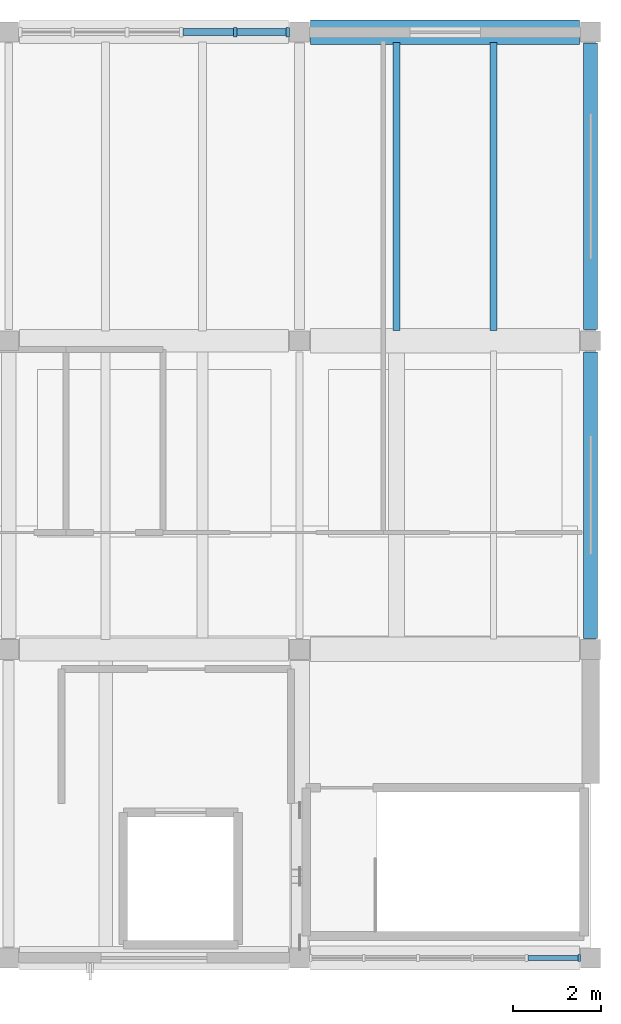
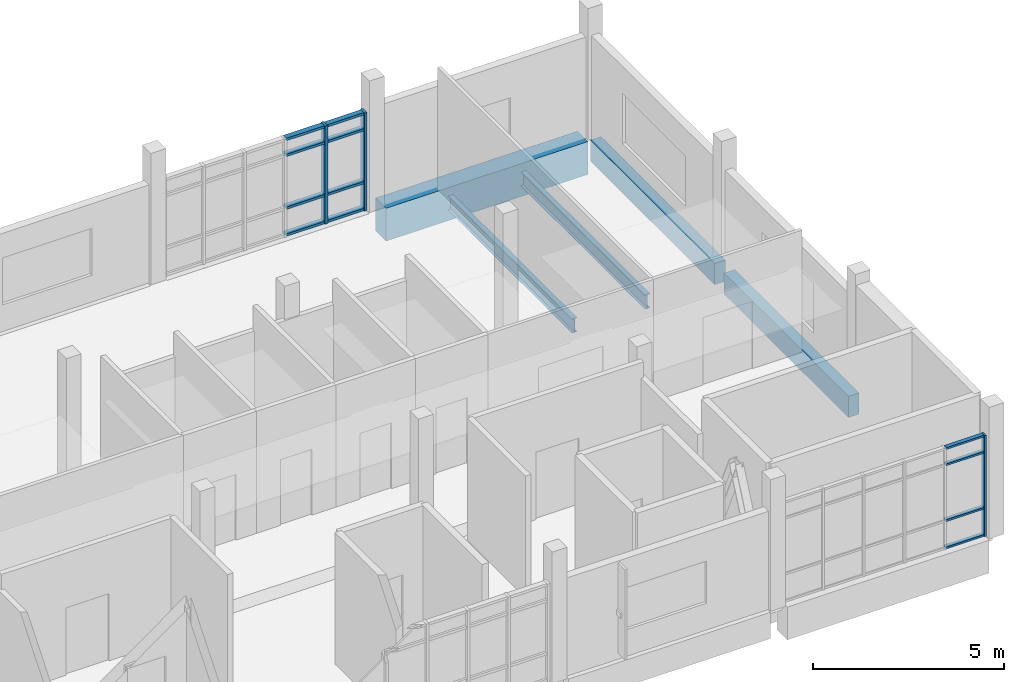
# One storey, part 5 of 10: 15 members, 5 beams, 2 elements without a shape of their own.
"""IFC4 building model written with IfcOpenShell, lengths in metres."""

from ifc_helpers import new_model, si_unit, direction, frame, origin, origin_2d, place, context, subcontext, project, spatial, rectangle, i_section, extrude, material, material_profile, profile_set, type_object, element, aggregate, save


model = new_model("IFC4")

# Units and contexts
model_context = context("Model", 3, precision=1e-05, world=origin(), true_north=direction((0.0, 1.0)))
body_context = subcontext(model_context, "Body", "Model", "MODEL_VIEW")
ifc_project = project(units=[si_unit("LENGTHUNIT", "METRE"), si_unit("AREAUNIT", "SQUARE_METRE"), si_unit("VOLUMEUNIT", "CUBIC_METRE"), si_unit("PLANEANGLEUNIT", "RADIAN"), si_unit("MASSUNIT", "GRAM", prefix="KILO")], contexts=[model_context])

# Site, building, storey
site_placement = place(None, origin())
site = spatial("IfcSite", under=ifc_project, at=site_placement, CompositionType="ELEMENT")
building_placement = place(site_placement, origin())
building = spatial("IfcBuilding", under=site, at=building_placement, Name="Ciguamira Faculty of Natural Sciences", CompositionType="ELEMENT")
storey_placement = place(building_placement, frame((0.0, 0.0, 46.199951171875)))
storey = spatial("IfcBuildingStorey", under=building, at=storey_placement, Name="L11", CompositionType="ELEMENT", Elevation=46.199951171875)

# Curtain wall, member
ifc_material_1 = material(Name="Anodized aluminium curtain wall", Category="aluminium")
curtain_wall_type_1 = type_object("IfcCurtainWallType", Name="CurtainWall_CW-04", PredefinedType="USERDEFINED", material=ifc_material_1)
curtain_wall_1_placement = place(storey_placement, origin())
curtain_wall_1 = element("IfcCurtainWall", 1, at=curtain_wall_1_placement, inside=storey, type_object=curtain_wall_type_1, Name="L11 unitised curtain wall 0172", ObjectType="UNITISED CURTAIN WALL", PredefinedType="USERDEFINED")
ifc_material_2 = material(Name="Anodized aluminium mullion", Category="aluminium")
ifc_material_profile_1 = material_profile(ifc_material_2, rectangle(XDim=0.06005859375, YDim=0.159912109375, at=origin_2d()), Name="ALU-MUL-60X160")
ifc_profile_set_1 = profile_set([ifc_material_profile_1], Name="Anodized aluminium mullion")
member_type_1 = type_object("IfcMemberType", Name="CWMullion_CWM-01", PredefinedType="MULLION", material=ifc_profile_set_1)
member_1_placement = place(storey_placement, frame((103.2451171875, 94.0, 0.0), z_axis=(0.0, 0.0, 1.0), x_axis=(1.0, 0.0, 0.0)))
member_1 = element("IfcMember", 2, at=member_1_placement, type_object=member_type_1, Name="CW-04 mullion 6", PredefinedType="MULLION", context=body_context, shape_type="SweptSolid", body=[
    extrude(rectangle(XDim=0.06005859375, YDim=0.159912109375, at=origin_2d()), origin(), (0.0, 0.0, 1.0), 3.235107421875),
])

# Curtain wall, members
curtain_wall_type_2 = type_object("IfcCurtainWallType", Name="CurtainWall_CW-06", PredefinedType="USERDEFINED", material=ifc_material_1)
curtain_wall_2_placement = place(storey_placement, origin())
curtain_wall_2 = element("IfcCurtainWall", 3, at=curtain_wall_2_placement, inside=storey, type_object=curtain_wall_type_2, Name="L11 unitised curtain wall 0174", ObjectType="UNITISED CURTAIN WALL", PredefinedType="USERDEFINED")
ifc_material_profile_2 = material_profile(ifc_material_2, rectangle(XDim=0.080078125, YDim=0.219970703125, at=origin_2d()), Name="ALU-MUL-80X220")
ifc_profile_set_2 = profile_set([ifc_material_profile_2], Name="Anodized aluminium mullion")
member_type_2 = type_object("IfcMemberType", Name="CWMullion_CWM-03", PredefinedType="MULLION", material=ifc_profile_set_2)
member_2_placement = place(storey_placement, frame((95.445068359375, 115.0, 0.0), z_axis=(0.0, 0.0, 1.0), x_axis=(1.0, 0.0, 0.0)))
member_2 = element("IfcMember", 4, at=member_2_placement, type_object=member_type_2, Name="CW-06 mullion 5", PredefinedType="MULLION", context=body_context, shape_type="SweptSolid", body=[
    extrude(rectangle(XDim=0.080078125, YDim=0.219970703125, at=origin_2d()), origin(), (0.0, 0.0, 1.0), 3.135009765625),
])
member_3_placement = place(storey_placement, frame((96.635009765625, 115.0, 0.0), z_axis=(0.0, 0.0, 1.0), x_axis=(1.0, 0.0, 0.0)))
member_3 = element("IfcMember", 5, at=member_3_placement, type_object=member_type_2, Name="CW-06 mullion 6", PredefinedType="MULLION", context=body_context, shape_type="SweptSolid", body=[
    extrude(rectangle(XDim=0.080078125, YDim=0.219970703125, at=origin_2d()), origin(), (0.0, 0.0, 1.0), 3.135009765625),
])

# Member
ifc_material_3 = material(Name="Anodized aluminium transom", Category="aluminium")
ifc_material_profile_3 = material_profile(ifc_material_3, rectangle(XDim=0.06005859375, YDim=0.1201171875, at=origin_2d()), Name="ALU-TRN-60X120")
ifc_profile_set_3 = profile_set([ifc_material_profile_3], Name="Anodized aluminium transom")
member_type_3 = type_object("IfcMemberType", Name="CWTransom_CWT-01", PredefinedType="USERDEFINED", material=ifc_profile_set_3)
member_4_placement = place(storey_placement, frame((102.074951171875, 94.0, 0.030029296875), z_axis=(1.0, 0.0, 0.0), x_axis=(0.0, 0.0, 1.0)))
member_4 = element("IfcMember", 6, at=member_4_placement, type_object=member_type_3, Name="CW-04 transom 5.1", ObjectType="TRANSOM", PredefinedType="USERDEFINED", context=body_context, shape_type="SweptSolid", body=[
    extrude(rectangle(XDim=0.06005859375, YDim=0.1201171875, at=origin_2d()), origin(), (0.0, 0.0, 1.0), 1.14013671875),
])

member_5_placement = place(storey_placement, frame((102.074951171875, 94.0, 0.900146484375), z_axis=(1.0, 0.0, 0.0), x_axis=(0.0, 0.0, 1.0)))
member_5 = element("IfcMember", 7, at=member_5_placement, type_object=member_type_3, Name="CW-04 transom 5.2", ObjectType="TRANSOM", PredefinedType="USERDEFINED", context=body_context, shape_type="SweptSolid", body=[
    extrude(rectangle(XDim=0.06005859375, YDim=0.1201171875, at=origin_2d()), origin(), (0.0, 0.0, 1.0), 1.14013671875),
])

member_6_placement = place(storey_placement, frame((102.074951171875, 94.0, 2.68505859375), z_axis=(1.0, 0.0, 0.0), x_axis=(0.0, 0.0, 1.0)))
member_6 = element("IfcMember", 8, at=member_6_placement, type_object=member_type_3, Name="CW-04 transom 5.3", ObjectType="TRANSOM", PredefinedType="USERDEFINED", context=body_context, shape_type="SweptSolid", body=[
    extrude(rectangle(XDim=0.06005859375, YDim=0.1201171875, at=origin_2d()), origin(), (0.0, 0.0, 1.0), 1.14013671875),
])

member_7_placement = place(storey_placement, frame((102.074951171875, 94.0, 3.205078125), z_axis=(1.0, 0.0, 0.0), x_axis=(0.0, 0.0, 1.0)))
member_7 = element("IfcMember", 9, at=member_7_placement, type_object=member_type_3, Name="CW-04 transom 5.4", ObjectType="TRANSOM", PredefinedType="USERDEFINED", context=body_context, shape_type="SweptSolid", body=[
    extrude(rectangle(XDim=0.06005859375, YDim=0.1201171875, at=origin_2d()), origin(), (0.0, 0.0, 1.0), 1.14013671875),
])

aggregate(curtain_wall_1, [member_1, member_4, member_5, member_6, member_7])

ifc_material_profile_4 = material_profile(ifc_material_3, rectangle(XDim=0.080078125, YDim=0.159912109375, at=origin_2d()), Name="ALU-TRN-80X160")
ifc_profile_set_4 = profile_set([ifc_material_profile_4], Name="Anodized aluminium transom")
member_type_4 = type_object("IfcMemberType", Name="CWTransom_CWT-03", PredefinedType="USERDEFINED", material=ifc_profile_set_4)
member_8_placement = place(storey_placement, frame((94.2548828125, 115.0, 0.0400390625), z_axis=(1.0, 0.0, 0.0), x_axis=(0.0, 0.0, 1.0)))
member_8 = element("IfcMember", 10, at=member_8_placement, type_object=member_type_4, Name="CW-06 transom 4.1", ObjectType="TRANSOM", PredefinedType="USERDEFINED", context=body_context, shape_type="SweptSolid", body=[
    extrude(rectangle(XDim=0.080078125, YDim=0.159912109375, at=origin_2d()), origin(), (0.0, 0.0, 1.0), 1.150146484375),
])

member_9_placement = place(storey_placement, frame((94.2548828125, 115.0, 0.900146484375), z_axis=(1.0, 0.0, 0.0), x_axis=(0.0, 0.0, 1.0)))
member_9 = element("IfcMember", 11, at=member_9_placement, type_object=member_type_4, Name="CW-06 transom 4.2", ObjectType="TRANSOM", PredefinedType="USERDEFINED", context=body_context, shape_type="SweptSolid", body=[
    extrude(rectangle(XDim=0.080078125, YDim=0.159912109375, at=origin_2d()), origin(), (0.0, 0.0, 1.0), 1.150146484375),
])

member_10_placement = place(storey_placement, frame((94.2548828125, 115.0, 2.5849609375), z_axis=(1.0, 0.0, 0.0), x_axis=(0.0, 0.0, 1.0)))
member_10 = element("IfcMember", 12, at=member_10_placement, type_object=member_type_4, Name="CW-06 transom 4.3", ObjectType="TRANSOM", PredefinedType="USERDEFINED", context=body_context, shape_type="SweptSolid", body=[
    extrude(rectangle(XDim=0.080078125, YDim=0.159912109375, at=origin_2d()), origin(), (0.0, 0.0, 1.0), 1.150146484375),
])

member_11_placement = place(storey_placement, frame((94.2548828125, 115.0, 3.094970703125), z_axis=(1.0, 0.0, 0.0), x_axis=(0.0, 0.0, 1.0)))
member_11 = element("IfcMember", 13, at=member_11_placement, type_object=member_type_4, Name="CW-06 transom 4.4", ObjectType="TRANSOM", PredefinedType="USERDEFINED", context=body_context, shape_type="SweptSolid", body=[
    extrude(rectangle(XDim=0.080078125, YDim=0.159912109375, at=origin_2d()), origin(), (0.0, 0.0, 1.0), 1.150146484375),
])

member_12_placement = place(storey_placement, frame((95.485107421875, 115.0, 0.0400390625), z_axis=(1.0, 0.0, 0.0), x_axis=(0.0, 0.0, 1.0)))
member_12 = element("IfcMember", 14, at=member_12_placement, type_object=member_type_4, Name="CW-06 transom 5.1", ObjectType="TRANSOM", PredefinedType="USERDEFINED", context=body_context, shape_type="SweptSolid", body=[
    extrude(rectangle(XDim=0.080078125, YDim=0.159912109375, at=origin_2d()), origin(), (0.0, 0.0, 1.0), 1.10986328125),
])

member_13_placement = place(storey_placement, frame((95.485107421875, 115.0, 0.900146484375), z_axis=(1.0, 0.0, 0.0), x_axis=(0.0, 0.0, 1.0)))
member_13 = element("IfcMember", 15, at=member_13_placement, type_object=member_type_4, Name="CW-06 transom 5.2", ObjectType="TRANSOM", PredefinedType="USERDEFINED", context=body_context, shape_type="SweptSolid", body=[
    extrude(rectangle(XDim=0.080078125, YDim=0.159912109375, at=origin_2d()), origin(), (0.0, 0.0, 1.0), 1.10986328125),
])

member_14_placement = place(storey_placement, frame((95.485107421875, 115.0, 2.5849609375), z_axis=(1.0, 0.0, 0.0), x_axis=(0.0, 0.0, 1.0)))
member_14 = element("IfcMember", 16, at=member_14_placement, type_object=member_type_4, Name="CW-06 transom 5.3", ObjectType="TRANSOM", PredefinedType="USERDEFINED", context=body_context, shape_type="SweptSolid", body=[
    extrude(rectangle(XDim=0.080078125, YDim=0.159912109375, at=origin_2d()), origin(), (0.0, 0.0, 1.0), 1.10986328125),
])

member_15_placement = place(storey_placement, frame((95.485107421875, 115.0, 3.094970703125), z_axis=(1.0, 0.0, 0.0), x_axis=(0.0, 0.0, 1.0)))
member_15 = element("IfcMember", 17, at=member_15_placement, type_object=member_type_4, Name="CW-06 transom 5.4", ObjectType="TRANSOM", PredefinedType="USERDEFINED", context=body_context, shape_type="SweptSolid", body=[
    extrude(rectangle(XDim=0.080078125, YDim=0.159912109375, at=origin_2d()), origin(), (0.0, 0.0, 1.0), 1.10986328125),
])

aggregate(curtain_wall_2, [member_2, member_3, member_8, member_9, member_10, member_11, member_12, member_13, member_14, member_15])

# Beams
ifc_material_4 = material(Name="Concrete C40/50", Category="concrete")
ifc_material_profile_5 = material_profile(ifc_material_4, rectangle(XDim=0.550048828125, YDim=1.050048828125, at=origin_2d()), Name="RC-BM-550X1050")
ifc_profile_set_5 = profile_set([ifc_material_profile_5], Name="Concrete C40/50")
beam_type_1 = type_object("IfcBeamType", Name="RCBeam_BG-01_RC-BM-550X1050", PredefinedType="BEAM", material=ifc_profile_set_5)
beam_1_placement = place(storey_placement, frame((97.14990234375, 115.0, -0.52490234375), z_axis=(1.0, 0.0, 0.0), x_axis=(0.0, 1.0, 0.0)))
element("IfcBeam", 18, at=beam_1_placement, inside=storey, type_object=beam_type_1, Name="L11 RC girder EW-1727", PredefinedType="BEAM", context=body_context, shape_type="SweptSolid", body=[
    extrude(rectangle(XDim=0.550048828125, YDim=1.050048828125, at=origin_2d()), origin(), (0.0, 0.0, 1.0), 6.10009765625),
])
ifc_material_5 = material(Name="Precast concrete C40/50", Category="concrete")
ifc_material_profile_6 = material_profile(ifc_material_5, rectangle(XDim=0.320068359375, YDim=0.679931640625, at=origin_2d()), Name="RC-SP-320X680")
ifc_profile_set_6 = profile_set([ifc_material_profile_6], Name="Precast concrete C40/50")
beam_type_2 = type_object("IfcBeamType", Name="RCBeam_SP-02_RC-SP-320X680", PredefinedType="SPANDREL", material=ifc_profile_set_6)
for number, where, z_axis, x_axis, name in (
    (19, (103.5, 101.25, -0.33984375), (0.0, 1.0, 0.0), (-1.0, 0.0, 0.0), "L11 girder NS-1740"),
    (20, (103.5, 108.25, -0.33984375), (0.0, 1.0, 0.0), (-1.0, 0.0, 0.0), "L11 girder NS-1741"),
):
    element("IfcBeam", number, at=place(storey_placement, frame(where, z_axis=z_axis, x_axis=x_axis)), inside=storey, type_object=beam_type_2, Name=name, PredefinedType="SPANDREL", context=body_context, shape_type="SweptSolid", body=[
        extrude(rectangle(XDim=0.320068359375, YDim=0.679931640625, at=origin_2d()), origin(), (0.0, 0.0, 1.0), 6.5),
    ])
ifc_material_6 = material(Name="Steel ASTM A992 Grade 50", Category="steel")
ifc_material_profile_7 = material_profile(ifc_material_6, i_section(OverallWidth=0.15234375, OverallDepth=0.449462890625, WebThickness=0.007568359375, FlangeThickness=0.0107421875, at=origin_2d()), Name="W18X35")
ifc_profile_set_7 = profile_set([ifc_material_profile_7], Name="Steel ASTM A992 Grade 50")
beam_type_3 = type_object("IfcBeamType", Name="SteelJoist_SJ-21_W18X35", PredefinedType="JOIST", material=ifc_profile_set_7)
beam_2_placement = place(storey_placement, frame((99.10009765625, 108.235107421875, -0.48486328125), z_axis=(0.0, 1.0, 0.0), x_axis=(-1.0, 0.0, 0.0)))
element("IfcBeam", 21, at=beam_2_placement, inside=storey, type_object=beam_type_3, Name="L11 composite steel joist 01548", PredefinedType="JOIST", context=body_context, shape_type="SweptSolid", body=[
    extrude(i_section(OverallWidth=0.15234375, OverallDepth=0.449462890625, WebThickness=0.007568359375, FlangeThickness=0.0107421875, at=origin_2d()), origin(), (0.0, 0.0, 1.0), 6.52978515625),
])
ifc_material_profile_8 = material_profile(ifc_material_6, i_section(OverallWidth=0.15283203125, OverallDepth=0.45458984375, WebThickness=0.008056640625, FlangeThickness=0.013427734375, at=origin_2d()), Name="W18X40")
ifc_profile_set_8 = profile_set([ifc_material_profile_8], Name="Steel ASTM A992 Grade 50")
beam_type_4 = type_object("IfcBeamType", Name="SteelJoist_SJ-22_W18X40", PredefinedType="JOIST", material=ifc_profile_set_8)
beam_3_placement = place(storey_placement, frame((101.300048828125, 108.235107421875, -0.4873046875), z_axis=(0.0, 1.0, 0.0), x_axis=(-1.0, 0.0, 0.0)))
element("IfcBeam", 22, at=beam_3_placement, inside=storey, type_object=beam_type_4, Name="L11 composite steel joist 01549", PredefinedType="JOIST", context=body_context, shape_type="SweptSolid", body=[
    extrude(i_section(OverallWidth=0.15283203125, OverallDepth=0.45458984375, WebThickness=0.008056640625, FlangeThickness=0.013427734375, at=origin_2d()), origin(), (0.0, 0.0, 1.0), 6.52978515625),
])

save(model, "model.ifc")
